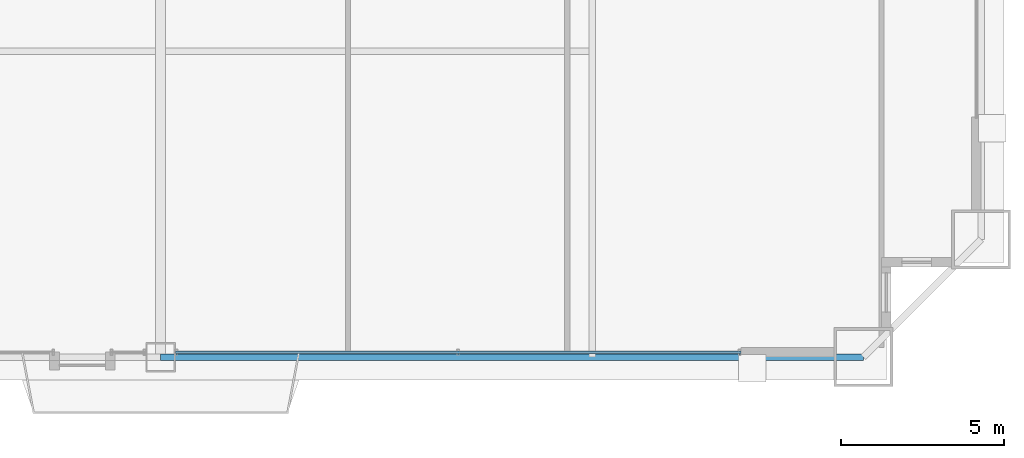
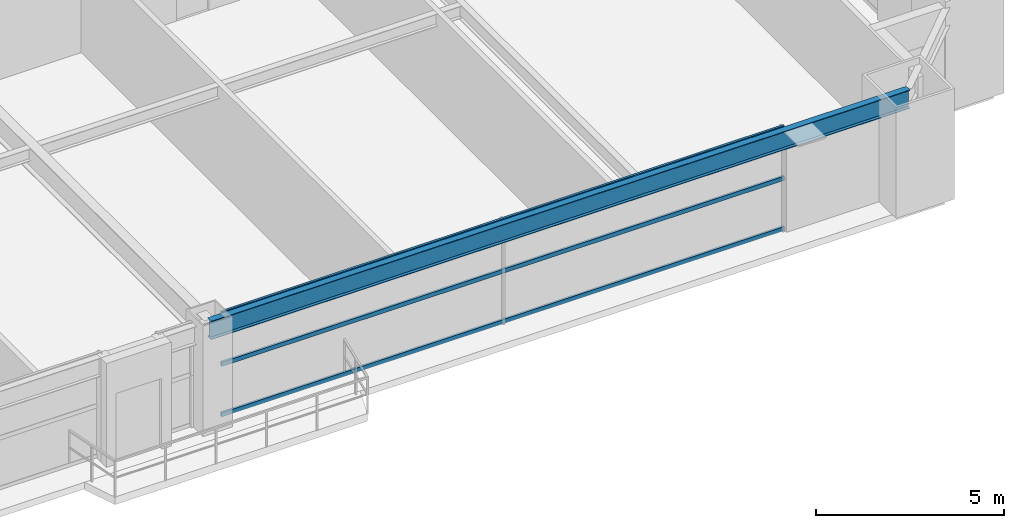
# One storey, part 15 of 45: 3 members, 1 beam, 1 element without a shape of its own.
"""IFC4 building model written with IfcOpenShell, lengths in metres."""

from ifc_helpers import new_model, si_unit, direction, frame, origin, origin_2d, place, context, subcontext, project, spatial, hollow_rectangle, i_section, extrude, source, transform, mapped, material, layer, layer_set, material_profile, profile_set, type_object, element, aggregate, save


model = new_model("IFC4")

# Units and contexts
model_context = context("Model", 3, precision=1e-05, world=origin(), true_north=direction((0.0, 1.0)))
body_context = subcontext(model_context, "Body", "Model", "MODEL_VIEW")
ifc_project = project(units=[si_unit("LENGTHUNIT", "METRE"), si_unit("AREAUNIT", "SQUARE_METRE"), si_unit("VOLUMEUNIT", "CUBIC_METRE"), si_unit("PLANEANGLEUNIT", "RADIAN"), si_unit("MASSUNIT", "GRAM", prefix="KILO"), si_unit("THERMODYNAMICTEMPERATUREUNIT", "KELVIN"), si_unit("POWERUNIT", "WATT")], contexts=[model_context])

# Site, building, storey
site_placement = place(None, origin())
site = spatial("IfcSite", under=ifc_project, at=site_placement, CompositionType="ELEMENT")
building_placement = place(site_placement, origin())
building = spatial("IfcBuilding", under=site, at=building_placement, Name="Yuzanri Waterfront Tower", CompositionType="ELEMENT")
storey_placement = place(building_placement, frame((0.0, 0.0, 49.60009765625)))
storey = spatial("IfcBuildingStorey", under=building, at=storey_placement, Name="L12", CompositionType="ELEMENT", Elevation=49.60009765625)

# Beam
ifc_material_1 = material(Name="Steel Q355B", Category="steel")
ifc_material_profile_1 = material_profile(ifc_material_1, i_section(OverallWidth=0.199951171875, OverallDepth=0.60009765625, WebThickness=0.010986328125, FlangeThickness=0.01708984375, at=origin_2d()), Name="HN 600x200x11x17")
ifc_profile_set_1 = profile_set([ifc_material_profile_1], Name="Steel Q355B")
beam_type = type_object("IfcBeamType", Name="Perimeter Spandrel Q355B HN 600x200", PredefinedType="SPANDREL", material=ifc_profile_set_1)
shared_shape_1 = source(origin(), body_context, "Body", "SweptSolid", [
    extrude(i_section(OverallWidth=0.199951171875, OverallDepth=0.60009765625, WebThickness=0.010986328125, FlangeThickness=0.01708984375, at=origin_2d()), origin(), (0.0, 0.0, 1.0), 21.5),
])
beam_placement = place(storey_placement, frame((37.0, 0.699951171875, 3.079833984375), z_axis=(1.0, 0.0, 0.0), x_axis=(0.0, 1.0, 0.0)))
element("IfcBeam", 1, at=beam_placement, inside=storey, type_object=beam_type, Name="L12 Perimeter Spandrel S2-S3", PredefinedType="SPANDREL", context=body_context, shape_type="MappedRepresentation", body=[
    mapped(shared_shape_1, transform((0.0, 0.0, 0.0), scale=1.0)),
])

# Curtain wall, members
ifc_material_2 = material(Name="Anodized Architectural Bronze", Category="metal")
ifc_layer = layer(ifc_material_2, 0.159912109375)
ifc_layer_set = layer_set([ifc_layer], Name="Anodized Architectural Bronze")
curtain_wall_type = type_object("IfcCurtainWallType", Name="Anodized Bronze Hotel Lower-Tier Recessed Unitized Curtain Wall 8100", PredefinedType="NOTDEFINED", material=ifc_layer_set)
curtain_wall_placement = place(storey_placement, origin())
curtain_wall = element("IfcCurtainWall", 2, at=curtain_wall_placement, inside=storey, type_object=curtain_wall_type, Name="L12 Curtain Wall CW-L12-SR", PredefinedType="NOTDEFINED")
ifc_material_3 = material(Name="Anodized Architectural Bronze", Category="metal")
ifc_material_profile_2 = material_profile(ifc_material_3, hollow_rectangle(XDim=0.070068359375, YDim=0.135009765625, WallThickness=0.00341796875, at=origin_2d()), Name="CWT 70x135")
ifc_profile_set_2 = profile_set([ifc_material_profile_2], Name="Anodized Architectural Bronze")
member_type = type_object("IfcMemberType", Name="Anodized Bronze Standard Curtain-Wall Transom 70x135", PredefinedType="USERDEFINED", material=ifc_profile_set_2)
shared_shape_2 = source(origin(), body_context, "Body", "SweptSolid", [
    extrude(hollow_rectangle(XDim=0.070068359375, YDim=0.135009765625, WallThickness=0.00341796875, at=origin_2d()), origin(), (0.0, 0.0, 1.0), 17.300048828125),
])
member_1_placement = place(storey_placement, frame((37.449951171875, 0.85009765625, 0.0498046875), z_axis=(1.0, 0.0, 0.0), x_axis=(0.0, 1.0, 0.0)))
member_1 = element("IfcMember", 3, at=member_1_placement, type_object=member_type, Name="CW-L12-SR Transom 1", ObjectType="TRANSOM", PredefinedType="USERDEFINED", context=body_context, shape_type="MappedRepresentation", body=[
    mapped(shared_shape_2, transform((0.0, 0.0, 0.0), scale=1.0)),
])
member_2_placement = place(storey_placement, frame((37.449951171875, 0.85009765625, 1.68994140625), z_axis=(1.0, 0.0, 0.0), x_axis=(0.0, 1.0, 0.0)))
member_2 = element("IfcMember", 4, at=member_2_placement, type_object=member_type, Name="CW-L12-SR Transom 2", ObjectType="TRANSOM", PredefinedType="USERDEFINED", context=body_context, shape_type="MappedRepresentation", body=[
    mapped(shared_shape_2, transform((0.0, 0.0, 0.0), scale=1.0)),
])
member_3_placement = place(storey_placement, frame((37.449951171875, 0.85009765625, 3.329833984375), z_axis=(1.0, 0.0, 0.0), x_axis=(0.0, 1.0, 0.0)))
member_3 = element("IfcMember", 5, at=member_3_placement, type_object=member_type, Name="CW-L12-SR Transom 3", ObjectType="TRANSOM", PredefinedType="USERDEFINED", context=body_context, shape_type="MappedRepresentation", body=[
    mapped(shared_shape_2, transform((0.0, 0.0, 0.0), scale=1.0)),
])
aggregate(curtain_wall, [member_1, member_2, member_3])

save(model, "model.ifc")
